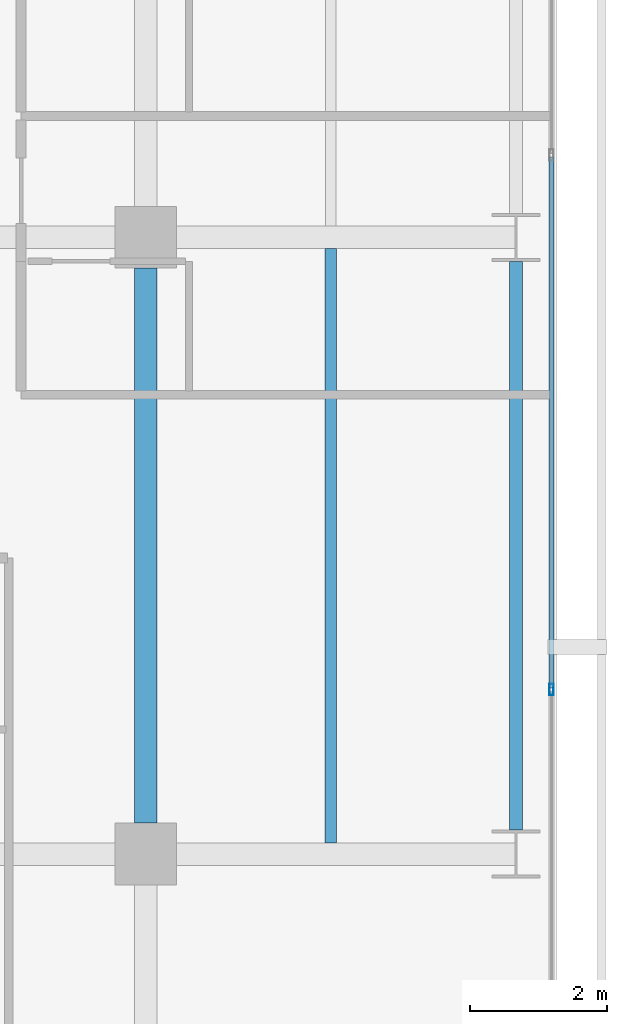
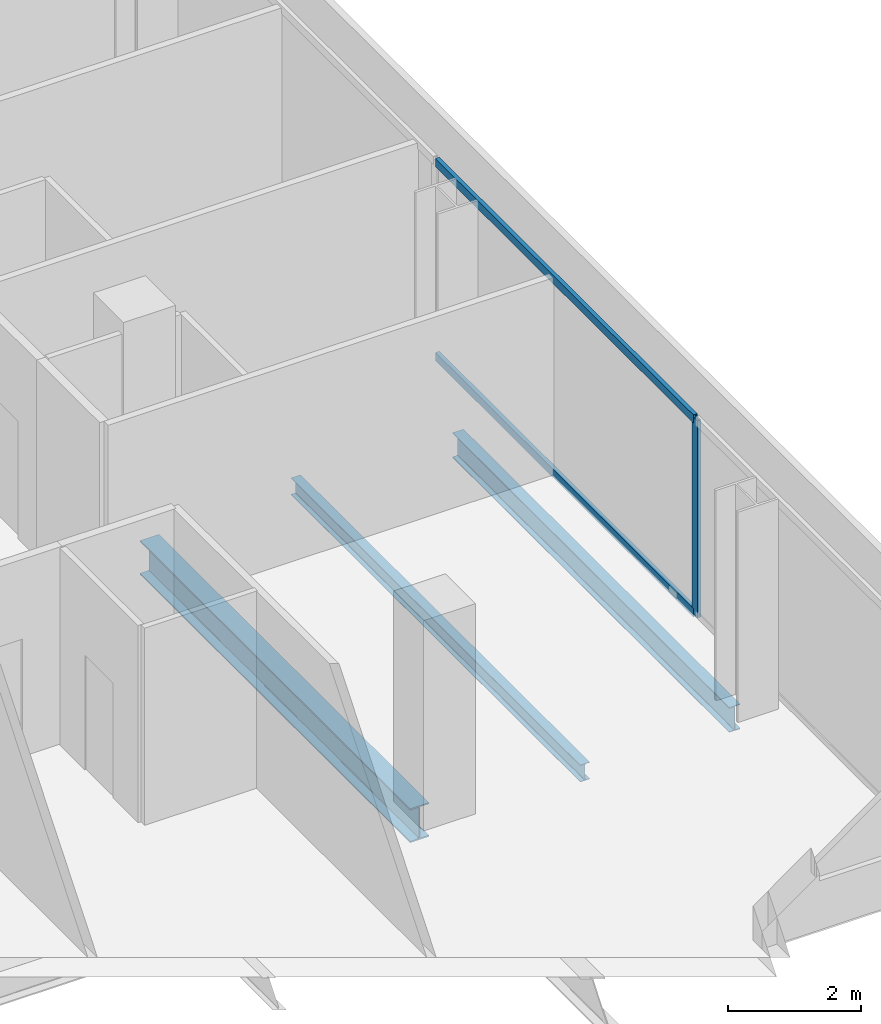
# One storey, part 17 of 41: 3 beams, 3 members, 1 element without a shape of its own.
"""IFC4 building model written with IfcOpenShell, lengths in metres."""

from ifc_helpers import new_model, si_unit, direction, frame, origin, origin_2d, place, context, subcontext, project, spatial, hollow_rectangle, i_section, extrude, material, layer, layer_set, material_profile, profile_set, type_object, element, aggregate, save


model = new_model("IFC4")

# Units and contexts
model_context = context("Model", 3, precision=1e-05, world=origin(), true_north=direction((0.0, 1.0)))
body_context = subcontext(model_context, "Body", "Model", "MODEL_VIEW")
ifc_project = project(units=[si_unit("LENGTHUNIT", "METRE"), si_unit("AREAUNIT", "SQUARE_METRE"), si_unit("VOLUMEUNIT", "CUBIC_METRE"), si_unit("PLANEANGLEUNIT", "RADIAN"), si_unit("MASSUNIT", "GRAM", prefix="KILO")], contexts=[model_context])

# Site, building, storey
site_placement = place(None, origin())
site = spatial("IfcSite", under=ifc_project, at=site_placement, CompositionType="ELEMENT")
building_placement = place(site_placement, origin())
building = spatial("IfcBuilding", under=site, at=building_placement, Name="Maruvema Waterfront Hotel and Observation Tower", CompositionType="ELEMENT")
storey_placement = place(building_placement, frame((0.0, 0.0, 61.60009765625)))
storey = spatial("IfcBuildingStorey", under=building, at=storey_placement, Name="L14", CompositionType="ELEMENT", Elevation=61.60009765625)

# Curtain wall, members
ifc_material_1 = material(Name="Anodised bronze aluminium and solar-control low-E IGU", Category="aluminium")
ifc_layer = layer(ifc_material_1, 0.159912109375, Name="Zone 1 Bronze Inner Thermal Curtain Wall System CW-02")
ifc_layer_set = layer_set([ifc_layer], Name="Anodised bronze aluminium and solar-control low-E IGU")
curtain_wall_type = type_object("IfcCurtainWallType", Name="Zone 1 Bronze Inner Thermal Curtain Wall System CW-02", PredefinedType="USERDEFINED", material=ifc_layer_set)
curtain_wall_placement = place(storey_placement, origin())
curtain_wall = element("IfcCurtainWall", 1, at=curtain_wall_placement, inside=storey, type_object=curtain_wall_type, Name="L14 Curtain Wall CW-L14-E", ObjectType="UNITISED CURTAIN WALL", PredefinedType="USERDEFINED")
ifc_material_2 = material(Name="Anodised architectural bronze aluminium", Category="aluminium")
ifc_material_profile_1 = material_profile(ifc_material_2, hollow_rectangle(XDim=0.070068359375, YDim=0.14990234375, WallThickness=0.00390625, at=origin_2d()), Name="ALU-T70x150")
ifc_profile_set_1 = profile_set([ifc_material_profile_1], Name="Anodised architectural bronze aluminium")
member_type_1 = type_object("IfcMemberType", Name="Curtain Wall Horizontal Transom ALU-T70x150", PredefinedType="USERDEFINED", material=ifc_profile_set_1)
member_1_placement = place(storey_placement, frame((64.719970703125, 11.429931640625, 0.02978515625), z_axis=(0.0, 1.0, 0.0), x_axis=(-1.0, 0.0, 0.0)))
member_1 = element("IfcMember", 2, at=member_1_placement, type_object=member_type_1, Name="CW-02 transom 2.1", ObjectType="TRANSOM", PredefinedType="USERDEFINED", context=body_context, shape_type="SweptSolid", body=[
    extrude(hollow_rectangle(XDim=0.070068359375, YDim=0.14990234375, WallThickness=0.00390625, at=origin_2d()), origin(), (0.0, 0.0, 1.0), 7.739990234375),
])
member_2_placement = place(storey_placement, frame((64.719970703125, 11.429931640625, 3.579833984375), z_axis=(0.0, 1.0, 0.0), x_axis=(-1.0, 0.0, 0.0)))
member_2 = element("IfcMember", 3, at=member_2_placement, type_object=member_type_1, Name="CW-02 transom 2.2", ObjectType="TRANSOM", PredefinedType="USERDEFINED", context=body_context, shape_type="SweptSolid", body=[
    extrude(hollow_rectangle(XDim=0.070068359375, YDim=0.14990234375, WallThickness=0.00390625, at=origin_2d()), origin(), (0.0, 0.0, 1.0), 7.739990234375),
])
ifc_material_3 = material(Name="Anodised architectural bronze aluminium", Category="aluminium")
ifc_material_profile_2 = material_profile(ifc_material_3, hollow_rectangle(XDim=0.06494140625, YDim=0.1650390625, WallThickness=0.00390625, at=origin_2d()), Name="ALU-M65x165")
ifc_profile_set_2 = profile_set([ifc_material_profile_2], Name="Anodised architectural bronze aluminium")
member_type_2 = type_object("IfcMemberType", Name="Curtain Wall Primary Mullion ALU-M65x165", PredefinedType="MULLION", material=ifc_profile_set_2)
member_3_placement = place(storey_placement, frame((64.719970703125, 11.39990234375, 0.0), z_axis=(0.0, 0.0, 1.0), x_axis=(-1.0, 0.0, 0.0)))
member_3 = element("IfcMember", 4, at=member_3_placement, type_object=member_type_2, Name="CW-02 mullion 2", PredefinedType="MULLION", context=body_context, shape_type="SweptSolid", body=[
    extrude(hollow_rectangle(XDim=0.06494140625, YDim=0.1650390625, WallThickness=0.00390625, at=origin_2d()), origin(), (0.0, 0.0, 1.0), 3.60986328125),
])
aggregate(curtain_wall, [member_3, member_1, member_2])

# Beams
ifc_material_4 = material(Name="Steel ASTM A572 Grade 50", Category="steel")
ifc_material_profile_3 = material_profile(ifc_material_4, i_section(OverallWidth=0.18994140625, OverallDepth=0.45703125, WebThickness=0.009033203125, FlangeThickness=0.014404296875, FilletRadius=0.014892578125, at=origin_2d()), Name="W460x74.0")
ifc_profile_set_3 = profile_set([ifc_material_profile_3], Name="Steel ASTM A572 Grade 50")
beam_type_1 = type_object("IfcBeamType", Name="Perimeter Spandrel Beam W460x74.0", PredefinedType="SPANDREL", material=ifc_profile_set_3)
beam_1_placement = place(storey_placement, frame((64.199951171875, 9.35009765625, -0.468505859375), z_axis=(0.0, 1.0, 0.0), x_axis=(-1.0, 0.0, 0.0)))
element("IfcBeam", 5, at=beam_1_placement, inside=storey, type_object=beam_type_1, Name="L14 Floor Girder NS-33", PredefinedType="SPANDREL", context=body_context, shape_type="SweptSolid", body=[
    extrude(i_section(OverallWidth=0.18994140625, OverallDepth=0.45703125, WebThickness=0.009033203125, FlangeThickness=0.014404296875, FilletRadius=0.014892578125, at=origin_2d()), origin(), (0.0, 0.0, 1.0), 8.2998046875),
])
ifc_material_5 = material(Name="Steel ASTM A572 Grade 50", Category="steel")
ifc_material_profile_4 = material_profile(ifc_material_5, i_section(OverallWidth=0.326904296875, OverallDepth=0.6220703125, WebThickness=0.015380859375, FlangeThickness=0.0244140625, FilletRadius=0.01806640625, at=origin_2d()), Name="W610x195.0")
ifc_profile_set_4 = profile_set([ifc_material_profile_4], Name="Steel ASTM A572 Grade 50")
beam_type_2 = type_object("IfcBeamType", Name="Primary Floor Girder W610x195.0", PredefinedType="BEAM", material=ifc_profile_set_4)
beam_2_placement = place(storey_placement, frame((58.800048828125, 9.449951171875, -0.551025390625), z_axis=(0.0, 1.0, 0.0), x_axis=(-1.0, 0.0, 0.0)))
element("IfcBeam", 6, at=beam_2_placement, inside=storey, type_object=beam_type_2, Name="L14 Floor Girder NS-28", PredefinedType="BEAM", context=body_context, shape_type="SweptSolid", body=[
    extrude(i_section(OverallWidth=0.326904296875, OverallDepth=0.6220703125, WebThickness=0.015380859375, FlangeThickness=0.0244140625, FilletRadius=0.01806640625, at=origin_2d()), origin(), (0.0, 0.0, 1.0), 8.10009765625),
])
ifc_material_6 = material(Name="Steel ASTM A572 Grade 50", Category="steel")
ifc_material_profile_5 = material_profile(ifc_material_6, i_section(OverallWidth=0.1650390625, OverallDepth=0.31005859375, WebThickness=0.005859375, FlangeThickness=0.009765625, FilletRadius=0.012939453125, at=origin_2d()), Name="W310x38.7")
ifc_profile_set_5 = profile_set([ifc_material_profile_5], Name="Steel ASTM A572 Grade 50")
beam_type_3 = type_object("IfcBeamType", Name="Secondary Floor Joist W310x38.7", PredefinedType="JOIST", material=ifc_profile_set_5)
beam_3_placement = place(storey_placement, frame((61.5, 9.16357421875, -0.39501953125), z_axis=(0.0, 1.0, 0.0), x_axis=(-1.0, 0.0, 0.0)))
element("IfcBeam", 7, at=beam_3_placement, inside=storey, type_object=beam_type_3, Name="L14 Secondary Floor Joist JS-21", PredefinedType="JOIST", context=body_context, shape_type="SweptSolid", body=[
    extrude(i_section(OverallWidth=0.1650390625, OverallDepth=0.31005859375, WebThickness=0.005859375, FlangeThickness=0.009765625, FilletRadius=0.012939453125, at=origin_2d()), origin(), (0.0, 0.0, 1.0), 8.6728515625),
])

save(model, "model.ifc")
